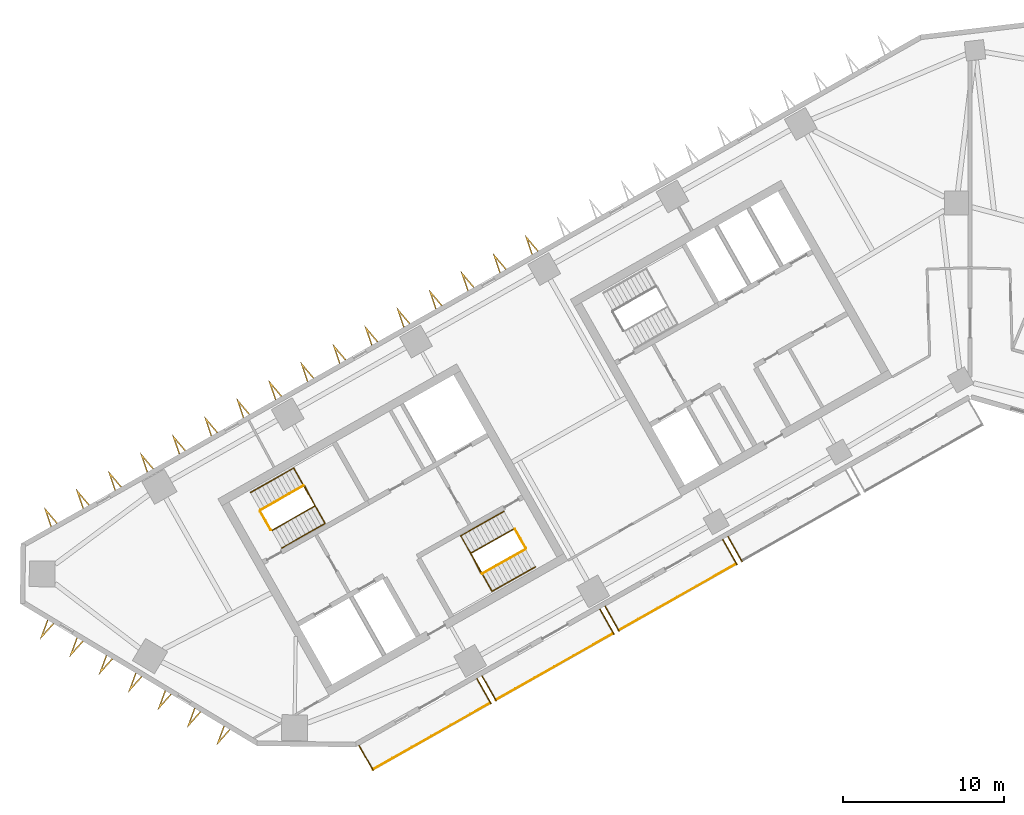
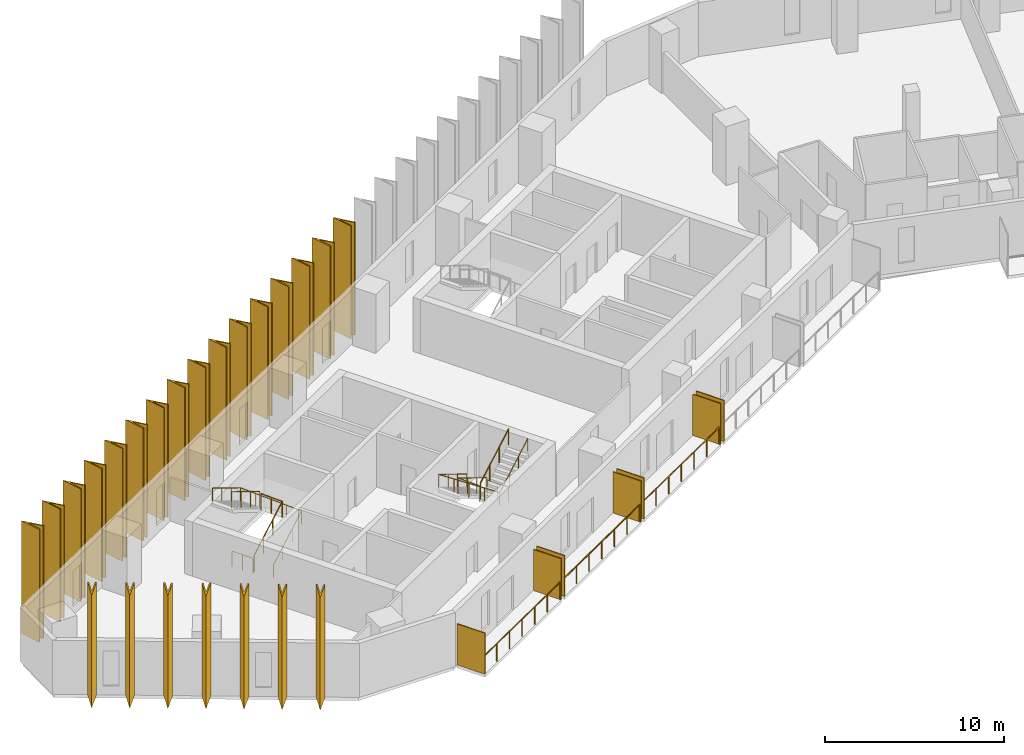
# One storey, part 8 of 10: 30 shading devices, 11 railings.
"""IFC4 building model written with IfcOpenShell, lengths in metres."""

from ifc_helpers import new_model, si_unit, direction, frame, origin, origin_2d, place, context, subcontext, project, spatial, polyline, rectangle, circle, outline, extrude, material, layer, layer_set, type_object, element, save


model = new_model("IFC4")

# Units and contexts
model_context = context("Model", 3, precision=1e-05, world=origin(), true_north=direction((0.0, 1.0)))
body_context = subcontext(model_context, "Body", "Model", "MODEL_VIEW")
ifc_project = project(units=[si_unit("LENGTHUNIT", "METRE"), si_unit("AREAUNIT", "SQUARE_METRE"), si_unit("VOLUMEUNIT", "CUBIC_METRE"), si_unit("PLANEANGLEUNIT", "RADIAN"), si_unit("MASSUNIT", "GRAM", prefix="KILO")], contexts=[model_context])

# Site, building, storey
site_placement = place(None, origin())
site = spatial("IfcSite", under=ifc_project, at=site_placement, CompositionType="ELEMENT")
building_placement = place(site_placement, origin())
building = spatial("IfcBuilding", under=site, at=building_placement, Name="Binnacle Exchange Tower", CompositionType="ELEMENT")
storey_placement = place(building_placement, frame((0.0, 0.0, 170.89990234375)))
storey = spatial("IfcBuildingStorey", under=building, at=storey_placement, Name="L36", CompositionType="ELEMENT", Elevation=170.89990234375)

# Railings
ifc_material_1 = material(Name="Bronze anodised aluminium frame", Category="aluminium")
railing_type_1 = type_object("IfcRailingType", Name="GUARD 1200", PredefinedType="GUARDRAIL", material=ifc_material_1)
railing_1_placement = place(storey_placement, frame((-36.994140625, 24.921142578125, 0.0)))
element("IfcRailing", 1, at=railing_1_placement, inside=storey, type_object=railing_type_1, Name="Balcony guard G01-B00 L36", PredefinedType="GUARDRAIL", context=body_context, shape_type="SweptSolid", body=[
    extrude(circle(Radius=0.02392578125, at=origin_2d()), frame((0.0, 0.0, 1.17578125), z_axis=(0.8703461643, 0.49244040684, 0.0), x_axis=(-0.49244040684, 0.8703461643, 0.0)), (0.0, 0.0, 1.0), 8.33447265625),
    extrude(circle(Radius=0.02099609375, at=origin_2d()), origin(), (0.0, 0.0, 1.0), 1.15185546875),
    extrude(circle(Radius=0.02099609375, at=origin_2d()), frame((1.208984375, 0.68408203125, 0.0)), (0.0, 0.0, 1.0), 1.15185546875),
    extrude(circle(Radius=0.02099609375, at=origin_2d()), frame((2.41796875, 1.3681640625, 0.0)), (0.0, 0.0, 1.0), 1.15185546875),
    extrude(circle(Radius=0.02099609375, at=origin_2d()), frame((3.626953125, 2.05224609375, 0.0)), (0.0, 0.0, 1.0), 1.15185546875),
    extrude(circle(Radius=0.02099609375, at=origin_2d()), frame((4.8359375, 2.736083984375, 0.0)), (0.0, 0.0, 1.0), 1.15185546875),
    extrude(circle(Radius=0.02099609375, at=origin_2d()), frame((6.044921875, 3.420166015625, 0.0)), (0.0, 0.0, 1.0), 1.15185546875),
    extrude(circle(Radius=0.02099609375, at=origin_2d()), frame((7.25390625, 4.104248046875, 0.0)), (0.0, 0.0, 1.0), 1.15185546875),
])
railing_2_placement = place(storey_placement, frame((-29.374755859375, 29.232177734375, 0.0)))
element("IfcRailing", 2, at=railing_2_placement, inside=storey, type_object=railing_type_1, Name="Balcony guard G01-B01 L36", PredefinedType="GUARDRAIL", context=body_context, shape_type="SweptSolid", body=[
    extrude(circle(Radius=0.02392578125, at=origin_2d()), frame((0.0, 0.0, 1.17578125), z_axis=(0.870365821494, 0.492405662818, 0.0), x_axis=(-0.492405662818, 0.870365821494, 0.0)), (0.0, 0.0, 1.0), 8.334716796875),
    extrude(circle(Radius=0.02099609375, at=origin_2d()), origin(), (0.0, 0.0, 1.0), 1.15185546875),
    extrude(circle(Radius=0.02099609375, at=origin_2d()), frame((1.208984375, 0.68408203125, 0.0)), (0.0, 0.0, 1.0), 1.15185546875),
    extrude(circle(Radius=0.02099609375, at=origin_2d()), frame((2.41796875, 1.367919921875, 0.0)), (0.0, 0.0, 1.0), 1.15185546875),
    extrude(circle(Radius=0.02099609375, at=origin_2d()), frame((3.626953125, 2.052001953125, 0.0)), (0.0, 0.0, 1.0), 1.15185546875),
    extrude(circle(Radius=0.02099609375, at=origin_2d()), frame((4.836181640625, 2.736083984375, 0.0)), (0.0, 0.0, 1.0), 1.15185546875),
    extrude(circle(Radius=0.02099609375, at=origin_2d()), frame((6.045166015625, 3.419921875, 0.0)), (0.0, 0.0, 1.0), 1.15185546875),
    extrude(circle(Radius=0.02099609375, at=origin_2d()), frame((7.254150390625, 4.10400390625, 0.0)), (0.0, 0.0, 1.0), 1.15185546875),
])
railing_3_placement = place(storey_placement, frame((-21.7548828125, 33.54296875, 0.0)))
element("IfcRailing", 3, at=railing_3_placement, inside=storey, type_object=railing_type_1, Name="Balcony guard G01-B02 L36", PredefinedType="GUARDRAIL", context=body_context, shape_type="SweptSolid", body=[
    extrude(circle(Radius=0.02392578125, at=origin_2d()), frame((0.0, 0.0, 1.17578125), z_axis=(0.870339060608, 0.492452961795, 0.0), x_axis=(-0.492452961795, 0.870339060608, 0.0)), (0.0, 0.0, 1.0), 8.334228515625),
    extrude(circle(Radius=0.02099609375, at=origin_2d()), origin(), (0.0, 0.0, 1.0), 1.15185546875),
    extrude(circle(Radius=0.02099609375, at=origin_2d()), frame((1.208984375, 0.68408203125, 0.0)), (0.0, 0.0, 1.0), 1.15185546875),
    extrude(circle(Radius=0.02099609375, at=origin_2d()), frame((2.41796875, 1.3681640625, 0.0)), (0.0, 0.0, 1.0), 1.15185546875),
    extrude(circle(Radius=0.02099609375, at=origin_2d()), frame((3.626953125, 2.05224609375, 0.0)), (0.0, 0.0, 1.0), 1.15185546875),
    extrude(circle(Radius=0.02099609375, at=origin_2d()), frame((4.835693359375, 2.736083984375, 0.0)), (0.0, 0.0, 1.0), 1.15185546875),
    extrude(circle(Radius=0.02099609375, at=origin_2d()), frame((6.044677734375, 3.420166015625, 0.0)), (0.0, 0.0, 1.0), 1.15185546875),
    extrude(circle(Radius=0.02099609375, at=origin_2d()), frame((7.253662109375, 4.104248046875, 0.0)), (0.0, 0.0, 1.0), 1.15185546875),
])

# Shading devices
ifc_material_2 = material(Name="Bronze aluminium louvre", Category="aluminium")
ifc_layer = layer(ifc_material_2, 0.06005859375)
ifc_layer_set = layer_set([ifc_layer], Name="PLANTED SCREEN 60x2800")
shading_device_type_1 = type_object("IfcShadingDeviceType", Name="PLANTED SCREEN 60x2800", PredefinedType="USERDEFINED", material=ifc_layer_set)
for number, where, z_axis, x_axis, name in (
    (4, (-37.424072265625, 25.6201171875, 0.0), (0.0, 0.0, 1.0), (0.87035569594, 0.492423560103, 0.0), "Planted screen G01-B00a L36"),
    (5, (-30.117919921875, 29.753662109375, 0.0), (0.0, 0.0, 1.0), (0.87035569594, 0.492423560103, 0.0), "Planted screen G01-B00b L36"),
    (6, (-29.8046875, 29.930908203125, 0.0), (0.0, 0.0, 1.0), (0.87035569594, 0.492423560103, 0.0), "Planted screen G01-B01a L36"),
    (7, (-22.498291015625, 34.064697265625, 0.0), (0.0, 0.0, 1.0), (0.87035569594, 0.492423560103, 0.0), "Planted screen G01-B01b L36"),
    (8, (-22.184814453125, 34.241943359375, 0.0), (0.0, 0.0, 1.0), (0.87035569594, 0.492423560103, 0.0), "Planted screen G01-B02a L36"),
    (9, (-14.878662109375, 38.37548828125, 0.0), (0.0, 0.0, 1.0), (0.87035569594, 0.492423560103, 0.0), "Planted screen G01-B02b L36"),
    (10, (-14.5654296875, 38.552978515625, 0.0), (0.0, 0.0, 1.0), (0.87035569594, 0.492423560103, 0.0), "Planted screen G01-B03a L36"),
):
    element("IfcShadingDevice", number, at=place(storey_placement, frame(where, z_axis=z_axis, x_axis=x_axis)), inside=storey, type_object=shading_device_type_1, Name=name, ObjectType="SCREEN", PredefinedType="USERDEFINED", context=body_context, shape_type="SweptSolid", body=[
        extrude(rectangle(XDim=0.06005859375, YDim=1.800048828125, at=origin_2d()), origin(), (0.0, 0.0, 1.0), 2.800048828125),
    ])

# Railings
ifc_material_3 = material(Name="Steel guard rail", Category="steel")
railing_type_2 = type_object("IfcRailingType", Name="STAIR GUARD 1100", PredefinedType="GUARDRAIL", material=ifc_material_3)
railing_4_placement = place(storey_placement, frame((-43.26171875, 39.71728515625, 0.166748046875)))
element("IfcRailing", 11, at=railing_4_placement, inside=storey, type_object=railing_type_2, Name="L36 STA1 stair guard 1", PredefinedType="GUARDRAIL", context=body_context, shape_type="SweptSolid", body=[
    extrude(circle(Radius=0.02392578125, at=origin_2d()), frame((0.0, 0.0, 1.076171875), z_axis=(0.747900833971, 0.423129324283, 0.511474258861), x_axis=(-0.492412445098, 0.870361984414, 0.0)), (0.0, 0.0, 1.0), 3.584228515625),
    extrude(circle(Radius=0.02392578125, at=origin_2d()), frame((2.6806640625, 1.5166015625, 2.9091796875), z_axis=(-0.461100321709, 0.887348011391, 0.0), x_axis=(-0.887348011391, -0.461100321709, 0.0)), (0.0, 0.0, 1.0), 1.40087890625),
    extrude(circle(Radius=0.02099609375, at=origin_2d()), origin(), (0.0, 0.0, 1.0), 1.052001953125),
    extrude(circle(Radius=0.02099609375, at=origin_2d()), frame((0.8935546875, 0.505615234375, 0.611083984375)), (0.0, 0.0, 1.0), 1.052001953125),
    extrude(circle(Radius=0.02099609375, at=origin_2d()), frame((1.787109375, 1.010986328125, 1.22216796875)), (0.0, 0.0, 1.0), 1.052001953125),
    extrude(circle(Radius=0.02099609375, at=origin_2d()), frame((2.6806640625, 1.5166015625, 1.833251953125)), (0.0, 0.0, 1.0), 1.052001953125),
    extrude(circle(Radius=0.02099609375, at=origin_2d()), frame((2.357666015625, 2.13818359375, 1.833251953125)), (0.0, 0.0, 1.0), 1.052001953125),
    extrude(circle(Radius=0.02099609375, at=origin_2d()), frame((2.03466796875, 2.759765625, 1.833251953125)), (0.0, 0.0, 1.0), 1.052001953125),
])
railing_5_placement = place(storey_placement, frame((-41.295166015625, 42.49609375, 2.166748046875)))
element("IfcRailing", 12, at=railing_5_placement, inside=storey, type_object=railing_type_2, Name="L36 STA1 stair guard 2", PredefinedType="GUARDRAIL", context=body_context, shape_type="SweptSolid", body=[
    extrude(circle(Radius=0.02392578125, at=origin_2d()), frame((0.0, 0.0, 1.076171875), z_axis=(-0.747879277632, -0.423185241524, 0.511459516916), x_axis=(0.492472489424, -0.870328011247, 0.0)), (0.0, 0.0, 1.0), 3.58447265625),
    extrude(circle(Radius=0.02099609375, at=origin_2d()), origin(), (0.0, 0.0, 1.0), 1.052001953125),
    extrude(circle(Radius=0.02099609375, at=origin_2d()), frame((-0.8935546875, -0.505615234375, 0.611083984375)), (0.0, 0.0, 1.0), 1.052001953125),
    extrude(circle(Radius=0.02099609375, at=origin_2d()), frame((-1.787109375, -1.01123046875, 1.22216796875)), (0.0, 0.0, 1.0), 1.052001953125),
    extrude(circle(Radius=0.02099609375, at=origin_2d()), frame((-2.6806640625, -1.516845703125, 1.833251953125)), (0.0, 0.0, 1.0), 1.052001953125),
])
railing_6_placement = place(storey_placement, frame((-43.329833984375, 39.736328125, 0.0)))
element("IfcRailing", 13, at=railing_6_placement, inside=storey, type_object=railing_type_2, Name="L36 STA1 stair guard 3", PredefinedType="GUARDRAIL", context=body_context, shape_type="SweptSolid", body=[
    extrude(circle(Radius=0.02392578125, at=origin_2d()), frame((0.0, 0.0, 1.076171875), z_axis=(-0.4924922531, 0.870316827734, 0.0), x_axis=(-0.870316827734, -0.4924922531, 0.0)), (0.0, 0.0, 1.0), 1.349853515625),
    extrude(circle(Radius=0.02099609375, at=origin_2d()), origin(), (0.0, 0.0, 1.0), 1.052001953125),
    extrude(circle(Radius=0.02099609375, at=origin_2d()), frame((-0.33251953125, 0.58740234375, 0.0)), (0.0, 0.0, 1.0), 1.052001953125),
    extrude(circle(Radius=0.02099609375, at=origin_2d()), frame((-0.664794921875, 1.1748046875, 0.0)), (0.0, 0.0, 1.0), 1.052001953125),
])
railing_7_placement = place(storey_placement, frame((-28.265380859375, 39.814453125, 0.166748046875)))
element("IfcRailing", 14, at=railing_7_placement, inside=storey, type_object=railing_type_2, Name="L36 STA2 stair guard 1", PredefinedType="GUARDRAIL", context=body_context, shape_type="SweptSolid", body=[
    extrude(circle(Radius=0.02392578125, at=origin_2d()), frame((0.0, 0.0, 1.076171875), z_axis=(-0.747900833971, -0.423129324283, 0.511474258861), x_axis=(0.492412445098, -0.870361984414, 0.0)), (0.0, 0.0, 1.0), 3.584228515625),
    extrude(circle(Radius=0.02392578125, at=origin_2d()), frame((-2.6806640625, -1.5166015625, 2.9091796875), z_axis=(0.460963092712, -0.887419307406, 0.0), x_axis=(0.887419307406, 0.460963092712, 0.0)), (0.0, 0.0, 1.0), 1.40087890625),
    extrude(circle(Radius=0.02099609375, at=origin_2d()), origin(), (0.0, 0.0, 1.0), 1.052001953125),
    extrude(circle(Radius=0.02099609375, at=origin_2d()), frame((-0.8935546875, -0.505615234375, 0.611083984375)), (0.0, 0.0, 1.0), 1.052001953125),
    extrude(circle(Radius=0.02099609375, at=origin_2d()), frame((-1.787109375, -1.010986328125, 1.22216796875)), (0.0, 0.0, 1.0), 1.052001953125),
    extrude(circle(Radius=0.02099609375, at=origin_2d()), frame((-2.6806640625, -1.5166015625, 1.833251953125)), (0.0, 0.0, 1.0), 1.052001953125),
    extrude(circle(Radius=0.02099609375, at=origin_2d()), frame((-2.35791015625, -2.13818359375, 1.833251953125)), (0.0, 0.0, 1.0), 1.052001953125),
    extrude(circle(Radius=0.02099609375, at=origin_2d()), frame((-2.034912109375, -2.759765625, 1.833251953125)), (0.0, 0.0, 1.0), 1.052001953125),
])
railing_8_placement = place(storey_placement, frame((-30.232177734375, 37.035888671875, 2.166748046875)))
element("IfcRailing", 15, at=railing_8_placement, inside=storey, type_object=railing_type_2, Name="L36 STA2 stair guard 2", PredefinedType="GUARDRAIL", context=body_context, shape_type="SweptSolid", body=[
    extrude(circle(Radius=0.02392578125, at=origin_2d()), frame((0.0, 0.0, 1.076171875), z_axis=(0.747900833971, 0.423129324283, 0.511474258861), x_axis=(-0.492412445098, 0.870361984414, 0.0)), (0.0, 0.0, 1.0), 3.584228515625),
    extrude(circle(Radius=0.02099609375, at=origin_2d()), origin(), (0.0, 0.0, 1.0), 1.052001953125),
    extrude(circle(Radius=0.02099609375, at=origin_2d()), frame((0.8935546875, 0.505615234375, 0.611083984375)), (0.0, 0.0, 1.0), 1.052001953125),
    extrude(circle(Radius=0.02099609375, at=origin_2d()), frame((1.787109375, 1.010986328125, 1.22216796875)), (0.0, 0.0, 1.0), 1.052001953125),
    extrude(circle(Radius=0.02099609375, at=origin_2d()), frame((2.6806640625, 1.5166015625, 1.833251953125)), (0.0, 0.0, 1.0), 1.052001953125),
])
railing_9_placement = place(storey_placement, frame((-28.197265625, 39.795654296875, 0.0)))
element("IfcRailing", 16, at=railing_9_placement, inside=storey, type_object=railing_type_2, Name="L36 STA2 stair guard 3", PredefinedType="GUARDRAIL", context=body_context, shape_type="SweptSolid", body=[
    extrude(circle(Radius=0.02392578125, at=origin_2d()), frame((0.0, 0.0, 1.076171875), z_axis=(0.49241474071, -0.870360685654, 0.0), x_axis=(0.870360685654, 0.49241474071, 0.0)), (0.0, 0.0, 1.0), 1.35009765625),
    extrude(circle(Radius=0.02099609375, at=origin_2d()), origin(), (0.0, 0.0, 1.0), 1.052001953125),
    extrude(circle(Radius=0.02099609375, at=origin_2d()), frame((0.33251953125, -0.58740234375, 0.0)), (0.0, 0.0, 1.0), 1.052001953125),
    extrude(circle(Radius=0.02099609375, at=origin_2d()), frame((0.664794921875, -1.175048828125, 0.0)), (0.0, 0.0, 1.0), 1.052001953125),
])
ifc_material_4 = material(Name="Steel handrail", Category="steel")
railing_type_3 = type_object("IfcRailingType", Name="STAIR HANDRAIL 900", PredefinedType="HANDRAIL", material=ifc_material_4)
railing_10_placement = place(storey_placement, frame((-42.646240234375, 38.62939453125, 0.166748046875)))
element("IfcRailing", 17, at=railing_10_placement, inside=storey, type_object=railing_type_3, Name="L36 STA1 stair handrail 1", PredefinedType="HANDRAIL", context=body_context, shape_type="SweptSolid", body=[
    extrude(circle(Radius=0.02392578125, at=origin_2d()), frame((0.0, 0.0, 0.8759765625), z_axis=(0.747900833971, 0.423129324283, 0.511474258861), x_axis=(-0.492412445098, 0.870361984414, 0.0)), (0.0, 0.0, 1.0), 3.584228515625),
    extrude(circle(Radius=0.02392578125, at=origin_2d()), frame((2.6806640625, 1.5166015625, 2.708984375), z_axis=(-0.491975462752, 0.869586854082, 0.042176382711), x_axis=(-0.870361318571, -0.492413622004, 0.0)), (0.0, 0.0, 1.0), 3.95361328125),
    extrude(circle(Radius=0.02392578125, at=origin_2d()), frame((0.735595703125, 4.95458984375, 2.8759765625), z_axis=(-0.747900833971, -0.423129324283, 0.511474258861), x_axis=(0.492412445098, -0.870361984414, 0.0)), (0.0, 0.0, 1.0), 3.584228515625),
    extrude(circle(Radius=0.02099609375, at=origin_2d()), origin(), (0.0, 0.0, 1.0), 0.851806640625),
    extrude(circle(Radius=0.02099609375, at=origin_2d()), frame((0.8935546875, 0.505615234375, 0.611083984375)), (0.0, 0.0, 1.0), 0.851806640625),
    extrude(circle(Radius=0.02099609375, at=origin_2d()), frame((1.787109375, 1.010986328125, 1.22216796875)), (0.0, 0.0, 1.0), 0.851806640625),
    extrude(circle(Radius=0.02099609375, at=origin_2d()), frame((2.6806640625, 1.5166015625, 1.833251953125)), (0.0, 0.0, 1.0), 0.851806640625),
    extrude(circle(Radius=0.02099609375, at=origin_2d()), frame((2.1943359375, 2.3759765625, 1.875)), (0.0, 0.0, 1.0), 0.851806640625),
    extrude(circle(Radius=0.02099609375, at=origin_2d()), frame((1.7080078125, 3.235595703125, 1.91650390625)), (0.0, 0.0, 1.0), 0.851806640625),
    extrude(circle(Radius=0.02099609375, at=origin_2d()), frame((1.221923828125, 4.09521484375, 1.958251953125)), (0.0, 0.0, 1.0), 0.851806640625),
    extrude(circle(Radius=0.02099609375, at=origin_2d()), frame((0.735595703125, 4.95458984375, 2.0)), (0.0, 0.0, 1.0), 0.851806640625),
    extrude(circle(Radius=0.02099609375, at=origin_2d()), frame((-0.157958984375, 4.448974609375, 2.611083984375)), (0.0, 0.0, 1.0), 0.851806640625),
    extrude(circle(Radius=0.02099609375, at=origin_2d()), frame((-1.051513671875, 3.943603515625, 3.22216796875)), (0.0, 0.0, 1.0), 0.851806640625),
    extrude(circle(Radius=0.02099609375, at=origin_2d()), frame((-1.945068359375, 3.43798828125, 3.833251953125)), (0.0, 0.0, 1.0), 0.851806640625),
])
railing_11_placement = place(storey_placement, frame((-28.880859375, 40.90234375, 0.166748046875)))
element("IfcRailing", 18, at=railing_11_placement, inside=storey, type_object=railing_type_3, Name="L36 STA2 stair handrail 1", PredefinedType="HANDRAIL", context=body_context, shape_type="SweptSolid", body=[
    extrude(circle(Radius=0.02392578125, at=origin_2d()), frame((0.0, 0.0, 0.8759765625), z_axis=(-0.747930846092, -0.423107769413, 0.511448203561), x_axis=(0.492378474645, -0.870381202524, 0.0)), (0.0, 0.0, 1.0), 3.58447265625),
    extrude(circle(Radius=0.02392578125, at=origin_2d()), frame((-2.680908203125, -1.5166015625, 2.708984375), z_axis=(0.491975462752, -0.869586854082, 0.042176382711), x_axis=(0.870361318571, 0.492413622004, 0.0)), (0.0, 0.0, 1.0), 3.95361328125),
    extrude(circle(Radius=0.02392578125, at=origin_2d()), frame((-0.73583984375, -4.95458984375, 2.8759765625), z_axis=(0.747909291085, 0.423163685048, 0.51143346387), x_axis=(-0.49243851748, 0.870347233294, 0.0)), (0.0, 0.0, 1.0), 3.58447265625),
    extrude(circle(Radius=0.02099609375, at=origin_2d()), origin(), (0.0, 0.0, 1.0), 0.851806640625),
    extrude(circle(Radius=0.02099609375, at=origin_2d()), frame((-0.8935546875, -0.505615234375, 0.611083984375)), (0.0, 0.0, 1.0), 0.851806640625),
    extrude(circle(Radius=0.02099609375, at=origin_2d()), frame((-1.787353515625, -1.010986328125, 1.22216796875)), (0.0, 0.0, 1.0), 0.851806640625),
    extrude(circle(Radius=0.02099609375, at=origin_2d()), frame((-2.680908203125, -1.5166015625, 1.833251953125)), (0.0, 0.0, 1.0), 0.851806640625),
    extrude(circle(Radius=0.02099609375, at=origin_2d()), frame((-2.194580078125, -2.3759765625, 1.875)), (0.0, 0.0, 1.0), 0.851806640625),
    extrude(circle(Radius=0.02099609375, at=origin_2d()), frame((-1.70849609375, -3.235595703125, 1.91650390625)), (0.0, 0.0, 1.0), 0.851806640625),
    extrude(circle(Radius=0.02099609375, at=origin_2d()), frame((-1.22216796875, -4.09521484375, 1.958251953125)), (0.0, 0.0, 1.0), 0.851806640625),
    extrude(circle(Radius=0.02099609375, at=origin_2d()), frame((-0.73583984375, -4.95458984375, 2.0)), (0.0, 0.0, 1.0), 0.851806640625),
    extrude(circle(Radius=0.02099609375, at=origin_2d()), frame((0.15771484375, -4.448974609375, 2.611083984375)), (0.0, 0.0, 1.0), 0.851806640625),
    extrude(circle(Radius=0.02099609375, at=origin_2d()), frame((1.051513671875, -3.943359375, 3.22216796875)), (0.0, 0.0, 1.0), 0.851806640625),
    extrude(circle(Radius=0.02099609375, at=origin_2d()), frame((1.945068359375, -3.437744140625, 3.833251953125)), (0.0, 0.0, 1.0), 0.851806640625),
])

# Shading devices
ifc_material_5 = material(Name="Bronze aluminium cladding", Category="aluminium")
shading_device_type_2 = type_object("IfcShadingDeviceType", Name="V FIN 1300 DEEP x 7680 HIGH", PredefinedType="USERDEFINED", material=ifc_material_5)
shading_device_1_placement = place(storey_placement, origin())
element("IfcShadingDevice", 19, at=shading_device_1_placement, inside=storey, type_object=shading_device_type_2, Name="V fin FN-G08-12 L36", ObjectType="FIN", PredefinedType="USERDEFINED", context=body_context, shape_type="SweptSolid", body=[
    extrude(outline(polyline([(-26.7412109375, 57.04296875), (-27.59912109375, 58.05126953125), (-27.176513671875, 56.796630859375), (-27.10546875, 56.8369140625), (-27.390380859375, 57.6826171875), (-26.81201171875, 57.002685546875), (-26.7412109375, 57.04296875)])), origin(), (0.0, 0.0, 1.0), 7.68017578125),
])
shading_device_2_placement = place(storey_placement, origin())
element("IfcShadingDevice", 20, at=shading_device_2_placement, inside=storey, type_object=shading_device_type_2, Name="V fin FN-G08-13 L36", ObjectType="FIN", PredefinedType="USERDEFINED", context=body_context, shape_type="SweptSolid", body=[
    extrude(outline(polyline([(-28.727783203125, 55.9189453125), (-29.58544921875, 56.92724609375), (-29.162841796875, 55.672607421875), (-29.092041015625, 55.712890625), (-29.376708984375, 56.55859375), (-28.798583984375, 55.87890625), (-28.727783203125, 55.9189453125)])), origin(), (0.0, 0.0, 1.0), 7.68017578125),
])
shading_device_3_placement = place(storey_placement, origin())
element("IfcShadingDevice", 21, at=shading_device_3_placement, inside=storey, type_object=shading_device_type_2, Name="V fin FN-G08-14 L36", ObjectType="FIN", PredefinedType="USERDEFINED", context=body_context, shape_type="SweptSolid", body=[
    extrude(outline(polyline([(-30.71435546875, 54.794921875), (-31.572021484375, 55.803466796875), (-31.1494140625, 54.548828125), (-31.07861328125, 54.5888671875), (-31.36328125, 55.434814453125), (-30.78515625, 54.7548828125), (-30.71435546875, 54.794921875)])), origin(), (0.0, 0.0, 1.0), 7.68017578125),
])
shading_device_4_placement = place(storey_placement, origin())
element("IfcShadingDevice", 22, at=shading_device_4_placement, inside=storey, type_object=shading_device_type_2, Name="V fin FN-G08-15 L36", ObjectType="FIN", PredefinedType="USERDEFINED", context=body_context, shape_type="SweptSolid", body=[
    extrude(outline(polyline([(-32.70068359375, 53.6708984375), (-33.55859375, 54.679443359375), (-33.135986328125, 53.4248046875), (-33.065185546875, 53.46484375), (-33.349853515625, 54.310791015625), (-32.771728515625, 53.630859375), (-32.70068359375, 53.6708984375)])), origin(), (0.0, 0.0, 1.0), 7.68017578125),
])
shading_device_5_placement = place(storey_placement, origin())
element("IfcShadingDevice", 23, at=shading_device_5_placement, inside=storey, type_object=shading_device_type_2, Name="V fin FN-G08-16 L36", ObjectType="FIN", PredefinedType="USERDEFINED", context=body_context, shape_type="SweptSolid", body=[
    extrude(outline(polyline([(-34.687255859375, 52.547119140625), (-35.545166015625, 53.555419921875), (-35.12255859375, 52.30078125), (-35.051513671875, 52.341064453125), (-35.33642578125, 53.186767578125), (-34.75830078125, 52.507080078125), (-34.687255859375, 52.547119140625)])), origin(), (0.0, 0.0, 1.0), 7.68017578125),
])
shading_device_6_placement = place(storey_placement, origin())
element("IfcShadingDevice", 24, at=shading_device_6_placement, inside=storey, type_object=shading_device_type_2, Name="V fin FN-G08-17 L36", ObjectType="FIN", PredefinedType="USERDEFINED", context=body_context, shape_type="SweptSolid", body=[
    extrude(outline(polyline([(-36.673828125, 51.423095703125), (-37.53173828125, 52.431640625), (-37.109130859375, 51.177001953125), (-37.0380859375, 51.217041015625), (-37.322998046875, 52.06298828125), (-36.744873046875, 51.383056640625), (-36.673828125, 51.423095703125)])), origin(), (0.0, 0.0, 1.0), 7.68017578125),
])
shading_device_7_placement = place(storey_placement, origin())
element("IfcShadingDevice", 25, at=shading_device_7_placement, inside=storey, type_object=shading_device_type_2, Name="V fin FN-G08-18 L36", ObjectType="FIN", PredefinedType="USERDEFINED", context=body_context, shape_type="SweptSolid", body=[
    extrude(outline(polyline([(-38.660400390625, 50.29931640625), (-39.518310546875, 51.3076171875), (-39.095703125, 50.052978515625), (-39.02490234375, 50.093017578125), (-39.3095703125, 50.93896484375), (-38.7314453125, 50.259033203125), (-38.660400390625, 50.29931640625)])), origin(), (0.0, 0.0, 1.0), 7.68017578125),
])
shading_device_8_placement = place(storey_placement, origin())
element("IfcShadingDevice", 26, at=shading_device_8_placement, inside=storey, type_object=shading_device_type_2, Name="V fin FN-G08-19 L36", ObjectType="FIN", PredefinedType="USERDEFINED", context=body_context, shape_type="SweptSolid", body=[
    extrude(outline(polyline([(-40.64697265625, 49.17529296875), (-41.5048828125, 50.18359375), (-41.082275390625, 48.92919921875), (-41.01123046875, 48.96923828125), (-41.296142578125, 49.81494140625), (-40.718017578125, 49.13525390625), (-40.64697265625, 49.17529296875)])), origin(), (0.0, 0.0, 1.0), 7.68017578125),
])
shading_device_9_placement = place(storey_placement, origin())
element("IfcShadingDevice", 27, at=shading_device_9_placement, inside=storey, type_object=shading_device_type_2, Name="V fin FN-G08-20 L36", ObjectType="FIN", PredefinedType="USERDEFINED", context=body_context, shape_type="SweptSolid", body=[
    extrude(outline(polyline([(-42.633544921875, 48.05126953125), (-43.491455078125, 49.059814453125), (-43.06884765625, 47.80517578125), (-42.997802734375, 47.84521484375), (-43.28271484375, 48.69091796875), (-42.70458984375, 48.01123046875), (-42.633544921875, 48.05126953125)])), origin(), (0.0, 0.0, 1.0), 7.68017578125),
])
shading_device_10_placement = place(storey_placement, origin())
element("IfcShadingDevice", 28, at=shading_device_10_placement, inside=storey, type_object=shading_device_type_2, Name="V fin FN-G08-21 L36", ObjectType="FIN", PredefinedType="USERDEFINED", context=body_context, shape_type="SweptSolid", body=[
    extrude(outline(polyline([(-44.6201171875, 46.927490234375), (-45.47802734375, 47.935791015625), (-45.055419921875, 46.68115234375), (-44.984619140625, 46.72119140625), (-45.269287109375, 47.567138671875), (-44.691162109375, 46.88720703125), (-44.6201171875, 46.927490234375)])), origin(), (0.0, 0.0, 1.0), 7.68017578125),
])
shading_device_11_placement = place(storey_placement, origin())
element("IfcShadingDevice", 29, at=shading_device_11_placement, inside=storey, type_object=shading_device_type_2, Name="V fin FN-G08-22 L36", ObjectType="FIN", PredefinedType="USERDEFINED", context=body_context, shape_type="SweptSolid", body=[
    extrude(outline(polyline([(-46.606689453125, 45.803466796875), (-47.464599609375, 46.81201171875), (-47.0419921875, 45.557373046875), (-46.970947265625, 45.597412109375), (-47.255859375, 46.443115234375), (-46.677490234375, 45.763427734375), (-46.606689453125, 45.803466796875)])), origin(), (0.0, 0.0, 1.0), 7.68017578125),
])
shading_device_12_placement = place(storey_placement, origin())
element("IfcShadingDevice", 30, at=shading_device_12_placement, inside=storey, type_object=shading_device_type_2, Name="V fin FN-G08-23 L36", ObjectType="FIN", PredefinedType="USERDEFINED", context=body_context, shape_type="SweptSolid", body=[
    extrude(outline(polyline([(-48.59326171875, 44.679443359375), (-49.451171875, 45.68798828125), (-49.028564453125, 44.433349609375), (-48.95751953125, 44.473388671875), (-49.242431640625, 45.319091796875), (-48.664306640625, 44.639404296875), (-48.59326171875, 44.679443359375)])), origin(), (0.0, 0.0, 1.0), 7.68017578125),
])
shading_device_13_placement = place(storey_placement, origin())
element("IfcShadingDevice", 31, at=shading_device_13_placement, inside=storey, type_object=shading_device_type_2, Name="V fin FN-G08-24 L36", ObjectType="FIN", PredefinedType="USERDEFINED", context=body_context, shape_type="SweptSolid", body=[
    extrude(outline(polyline([(-50.579833984375, 43.5556640625), (-51.4375, 44.56396484375), (-51.014892578125, 43.309326171875), (-50.944091796875, 43.349609375), (-51.22900390625, 44.1953125), (-50.650634765625, 43.515380859375), (-50.579833984375, 43.5556640625)])), origin(), (0.0, 0.0, 1.0), 7.68017578125),
])
shading_device_14_placement = place(storey_placement, origin())
element("IfcShadingDevice", 32, at=shading_device_14_placement, inside=storey, type_object=shading_device_type_2, Name="V fin FN-G08-25 L36", ObjectType="FIN", PredefinedType="USERDEFINED", context=body_context, shape_type="SweptSolid", body=[
    extrude(outline(polyline([(-52.56640625, 42.431640625), (-53.42431640625, 43.440185546875), (-53.001708984375, 42.185546875), (-52.9306640625, 42.2255859375), (-53.215576171875, 43.0712890625), (-52.63720703125, 42.3916015625), (-52.56640625, 42.431640625)])), origin(), (0.0, 0.0, 1.0), 7.68017578125),
])
shading_device_15_placement = place(storey_placement, origin())
element("IfcShadingDevice", 33, at=shading_device_15_placement, inside=storey, type_object=shading_device_type_2, Name="V fin FN-G08-26 L36", ObjectType="FIN", PredefinedType="USERDEFINED", context=body_context, shape_type="SweptSolid", body=[
    extrude(outline(polyline([(-54.552978515625, 41.3076171875), (-55.410888671875, 42.316162109375), (-54.98828125, 41.0615234375), (-54.917236328125, 41.1015625), (-55.2021484375, 41.947509765625), (-54.623779296875, 41.267578125), (-54.552978515625, 41.3076171875)])), origin(), (0.0, 0.0, 1.0), 7.68017578125),
])
shading_device_16_placement = place(storey_placement, origin())
element("IfcShadingDevice", 34, at=shading_device_16_placement, inside=storey, type_object=shading_device_type_2, Name="V fin FN-G08-27 L36", ObjectType="FIN", PredefinedType="USERDEFINED", context=body_context, shape_type="SweptSolid", body=[
    extrude(outline(polyline([(-56.53955078125, 40.183837890625), (-57.397216796875, 41.192138671875), (-56.974609375, 39.9375), (-56.90380859375, 39.977783203125), (-57.188720703125, 40.823486328125), (-56.6103515625, 40.143798828125), (-56.53955078125, 40.183837890625)])), origin(), (0.0, 0.0, 1.0), 7.68017578125),
])
shading_device_17_placement = place(storey_placement, origin())
element("IfcShadingDevice", 35, at=shading_device_17_placement, inside=storey, type_object=shading_device_type_2, Name="V fin FN-G10-01 L36", ObjectType="FIN", PredefinedType="USERDEFINED", context=body_context, shape_type="SweptSolid", body=[
    extrude(outline(polyline([(-57.18603515625, 34.185791015625), (-57.641357421875, 32.94287109375), (-56.757568359375, 33.92822265625), (-56.827392578125, 33.97021484375), (-57.423095703125, 33.305908203125), (-57.1162109375, 34.143798828125), (-57.18603515625, 34.185791015625)])), origin(), (0.0, 0.0, 1.0), 7.68017578125),
])
shading_device_18_placement = place(storey_placement, origin())
element("IfcShadingDevice", 36, at=shading_device_18_placement, inside=storey, type_object=shading_device_type_2, Name="V fin FN-G10-02 L36", ObjectType="FIN", PredefinedType="USERDEFINED", context=body_context, shape_type="SweptSolid", body=[
    extrude(outline(polyline([(-55.364501953125, 33.09130859375), (-55.81982421875, 31.848388671875), (-54.93603515625, 32.833740234375), (-55.005859375, 32.875732421875), (-55.601806640625, 32.21142578125), (-55.294921875, 33.04931640625), (-55.364501953125, 33.09130859375)])), origin(), (0.0, 0.0, 1.0), 7.68017578125),
])
shading_device_19_placement = place(storey_placement, origin())
element("IfcShadingDevice", 37, at=shading_device_19_placement, inside=storey, type_object=shading_device_type_2, Name="V fin FN-G10-03 L36", ObjectType="FIN", PredefinedType="USERDEFINED", context=body_context, shape_type="SweptSolid", body=[
    extrude(outline(polyline([(-53.543212890625, 31.9970703125), (-53.998291015625, 30.75390625), (-53.114501953125, 31.739501953125), (-53.184326171875, 31.781494140625), (-53.7802734375, 31.116943359375), (-53.473388671875, 31.955078125), (-53.543212890625, 31.9970703125)])), origin(), (0.0, 0.0, 1.0), 7.68017578125),
])
shading_device_20_placement = place(storey_placement, origin())
element("IfcShadingDevice", 38, at=shading_device_20_placement, inside=storey, type_object=shading_device_type_2, Name="V fin FN-G10-04 L36", ObjectType="FIN", PredefinedType="USERDEFINED", context=body_context, shape_type="SweptSolid", body=[
    extrude(outline(polyline([(-51.7216796875, 30.902587890625), (-52.1767578125, 29.659423828125), (-51.29296875, 30.64501953125), (-51.36279296875, 30.68701171875), (-51.958740234375, 30.0224609375), (-51.65185546875, 30.860595703125), (-51.7216796875, 30.902587890625)])), origin(), (0.0, 0.0, 1.0), 7.68017578125),
])
shading_device_21_placement = place(storey_placement, origin())
element("IfcShadingDevice", 39, at=shading_device_21_placement, inside=storey, type_object=shading_device_type_2, Name="V fin FN-G10-05 L36", ObjectType="FIN", PredefinedType="USERDEFINED", context=body_context, shape_type="SweptSolid", body=[
    extrude(outline(polyline([(-49.900146484375, 29.80810546875), (-50.35546875, 28.56494140625), (-49.4716796875, 29.55029296875), (-49.54150390625, 29.59228515625), (-50.13720703125, 28.927978515625), (-49.830322265625, 29.76611328125), (-49.900146484375, 29.80810546875)])), origin(), (0.0, 0.0, 1.0), 7.68017578125),
])
shading_device_22_placement = place(storey_placement, origin())
element("IfcShadingDevice", 40, at=shading_device_22_placement, inside=storey, type_object=shading_device_type_2, Name="V fin FN-G10-06 L36", ObjectType="FIN", PredefinedType="USERDEFINED", context=body_context, shape_type="SweptSolid", body=[
    extrude(outline(polyline([(-48.07861328125, 28.713623046875), (-48.533935546875, 27.470458984375), (-47.650146484375, 28.4560546875), (-47.719970703125, 28.498046875), (-48.31591796875, 27.83349609375), (-48.0087890625, 28.671630859375), (-48.07861328125, 28.713623046875)])), origin(), (0.0, 0.0, 1.0), 7.68017578125),
])
shading_device_23_placement = place(storey_placement, origin())
element("IfcShadingDevice", 41, at=shading_device_23_placement, inside=storey, type_object=shading_device_type_2, Name="V fin FN-G10-07 L36", ObjectType="FIN", PredefinedType="USERDEFINED", context=body_context, shape_type="SweptSolid", body=[
    extrude(outline(polyline([(-46.257080078125, 27.619140625), (-46.71240234375, 26.3759765625), (-45.82861328125, 27.361572265625), (-45.8984375, 27.403564453125), (-46.494384765625, 26.739013671875), (-46.1875, 27.5771484375), (-46.257080078125, 27.619140625)])), origin(), (0.0, 0.0, 1.0), 7.68017578125),
])

save(model, "model.ifc")
